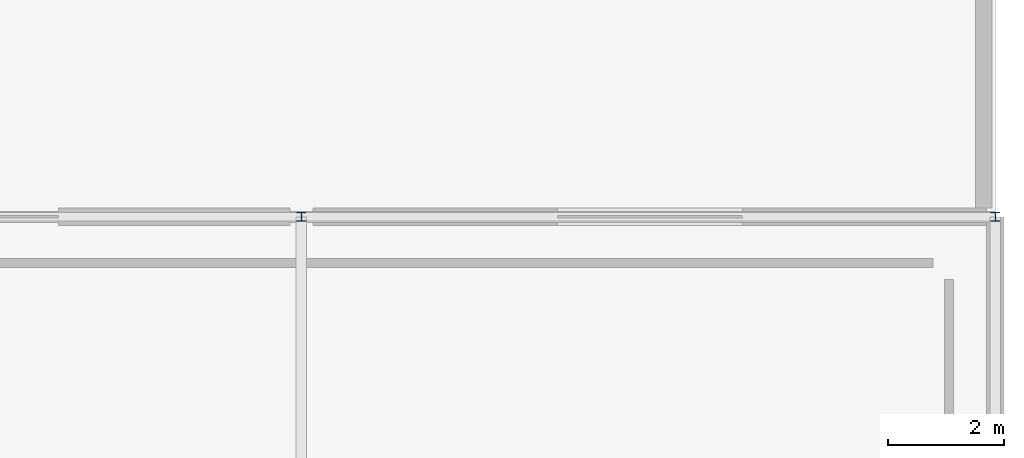
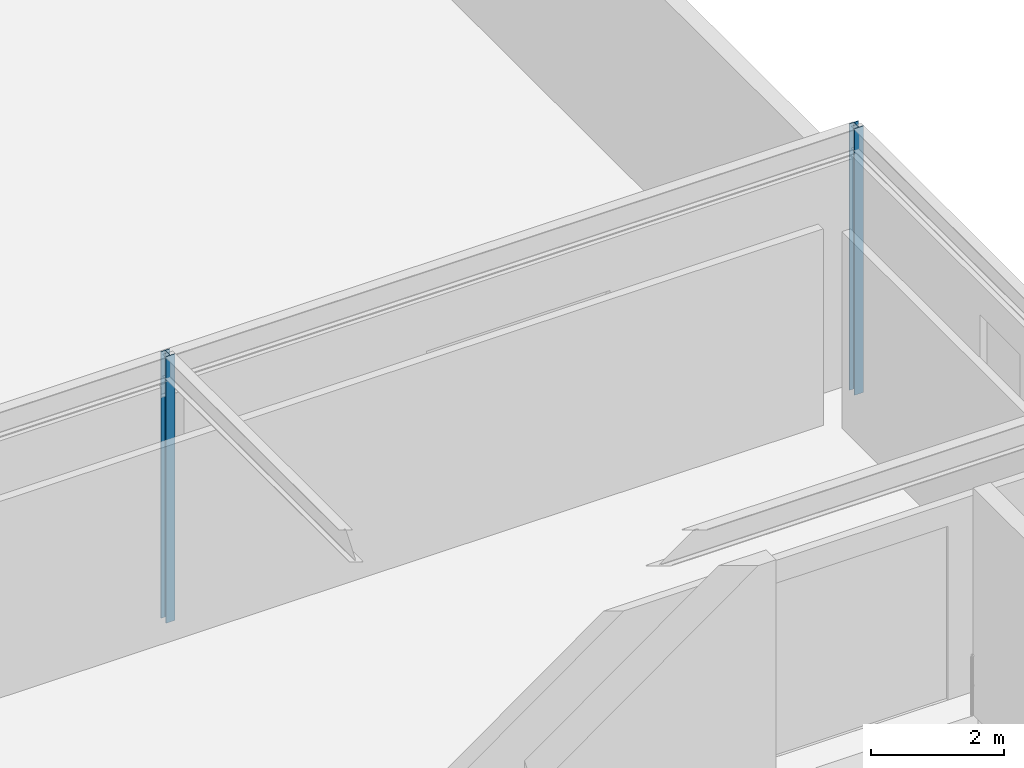
# One storey, part 34 of 119: 2 columns.
"""IFC4 building model written with IfcOpenShell, lengths in metres."""

from ifc_helpers import new_model, si_unit, derived_unit, direction, frame, origin, origin_2d_with_axis, place, context, subcontext, project, spatial, i_section, extrude, material, material_profile, profile_set, type_object, element, save


model = new_model("IFC4")

# Units and contexts
model_context = context("Model", 3, precision=1e-05, world=origin(), true_north=direction((0.0, 1.0)))
body_context = subcontext(model_context, "Body", "Model", "MODEL_VIEW")
ifc_project = project(units=[si_unit("LENGTHUNIT", "METRE"), si_unit("AREAUNIT", "SQUARE_METRE"), si_unit("VOLUMEUNIT", "CUBIC_METRE"), si_unit("PLANEANGLEUNIT", "RADIAN"), si_unit("MASSUNIT", "GRAM", prefix="KILO"), derived_unit("THERMALTRANSMITTANCEUNIT", [(si_unit("POWERUNIT", "WATT"), 1), (si_unit("LENGTHUNIT", "METRE"), -2), (si_unit("THERMODYNAMICTEMPERATUREUNIT", "KELVIN"), -1)])], contexts=[model_context])

# Site, building, storey
site_placement = place(None, origin())
site = spatial("IfcSite", under=ifc_project, at=site_placement, CompositionType="ELEMENT")
building_placement = place(site_placement, origin())
building = spatial("IfcBuilding", under=site, at=building_placement, Name="Cinnabar Yard Market Hall", CompositionType="ELEMENT")
storey_placement = place(building_placement, origin())
storey = spatial("IfcBuildingStorey", under=building, at=storey_placement, Name="L00", CompositionType="ELEMENT", Elevation=0.0)

# Columns
ifc_material = material(Name="Steel Grade 300 (300 MPa)", Category="steel")
ifc_material_profile = material_profile(ifc_material, i_section(OverallWidth=0.154296875, OverallDepth=0.161865234375, WebThickness=0.008056640625, FlangeThickness=0.011474609375, FilletRadius=0.0087890625, at=origin_2d_with_axis()), Name="150UC37.2")
ifc_profile_set = profile_set([ifc_material_profile], Name="Steel Grade 300 (300 MPa)")
column_type = type_object("IfcColumnType", Name="COL-C14E", PredefinedType="COLUMN", material=ifc_profile_set)
for number, where, z_axis, x_axis, name in (
    (1, (202.0, 42.0, -0.280029296875), (0.0, 0.0, 1.0), (1.0, 0.0, 0.0), "Dock Column V4-03-04 L00"),
    (2, (214.0, 42.0, -0.280029296875), (0.0, 0.0, 1.0), (1.0, 0.0, 0.0), "Dock Column V4-04-04 L00"),
):
    element("IfcColumn", number, at=place(storey_placement, frame(where, z_axis=z_axis, x_axis=x_axis)), inside=storey, type_object=column_type, Name=name, PredefinedType="COLUMN", context=body_context, shape_type="SweptSolid", body=[
        extrude(i_section(OverallWidth=0.154296875, OverallDepth=0.161865234375, WebThickness=0.008056640625, FlangeThickness=0.011474609375, FilletRadius=0.0087890625, at=origin_2d_with_axis()), origin(), (0.0, 0.0, 1.0), 4.909912109375),
    ])

save(model, "model.ifc")
